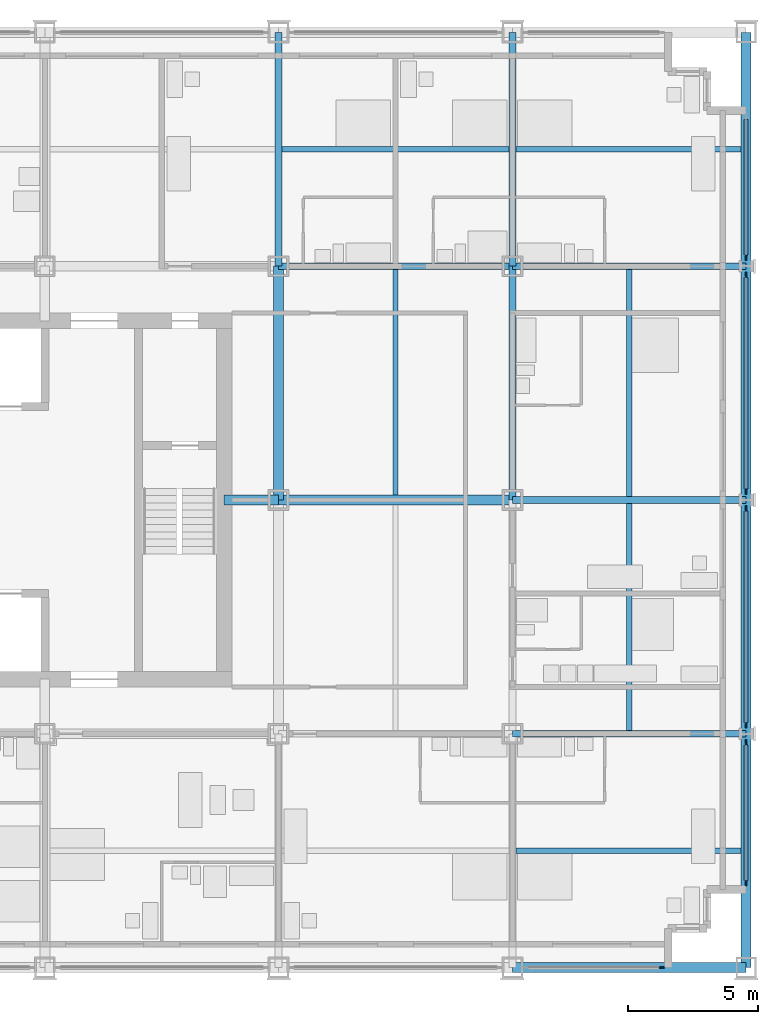
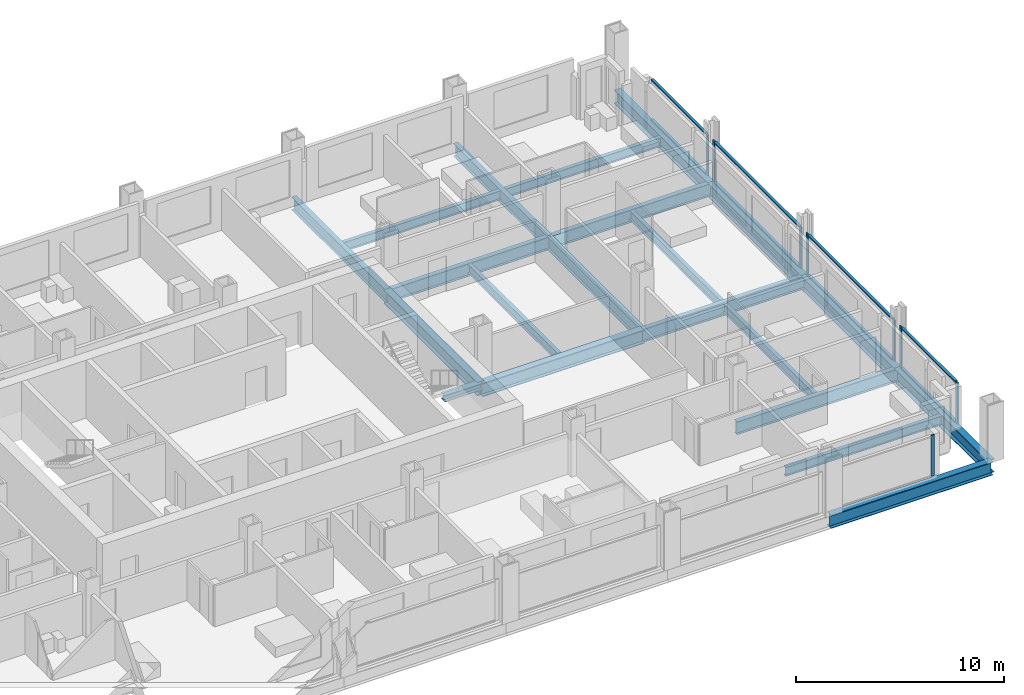
# One storey, part 6 of 18: 20 beams, 17 members, 5 elements without a shape of their own.
"""IFC4 building model written with IfcOpenShell, lengths in metres."""

from ifc_helpers import new_model, si_unit, direction, frame, origin, origin_2d, place, context, subcontext, project, spatial, rectangle, i_section, extrude, material, material_profile, profile_set, type_object, element, aggregate, save


model = new_model("IFC4")

# Units and contexts
model_context = context("Model", 3, precision=1e-05, world=origin(), true_north=direction((0.0, 1.0)))
body_context = subcontext(model_context, "Body", "Model", "MODEL_VIEW")
ifc_project = project(units=[si_unit("LENGTHUNIT", "METRE"), si_unit("AREAUNIT", "SQUARE_METRE"), si_unit("VOLUMEUNIT", "CUBIC_METRE"), si_unit("PLANEANGLEUNIT", "RADIAN"), si_unit("MASSUNIT", "GRAM", prefix="KILO")], contexts=[model_context])

# Site, building, storey
site_placement = place(None, origin())
site = spatial("IfcSite", under=ifc_project, at=site_placement, CompositionType="ELEMENT")
building_placement = place(site_placement, origin())
building = spatial("IfcBuilding", under=site, at=building_placement, Name="Loomwork Tower", CompositionType="ELEMENT")
storey_placement = place(building_placement, frame((0.0, 0.0, 62.0)))
storey = spatial("IfcBuildingStorey", under=building, at=storey_placement, Name="L15", CompositionType="ELEMENT", Elevation=62.0)

# Beams
ifc_material_1 = material(Name="Steel ASTM A992", Category="steel")
ifc_material_profile_1 = material_profile(ifc_material_1, i_section(OverallWidth=0.383544921875, OverallDepth=0.794921875, WebThickness=0.02099609375, FlangeThickness=0.0380859375, at=origin_2d()), Name="W30x235")
ifc_profile_set_1 = profile_set([ifc_material_profile_1], Name="Steel ASTM A992")
beam_type_1 = type_object("IfcBeamType", Name="CORE FLANK GIRDER W30x235", PredefinedType="BEAM", material=ifc_profile_set_1)
for number, where, z_axis, x_axis, name in (
    (1, (36.0, 18.0, -0.597412109375), (1.0, 0.0, 0.0), (0.0, 1.0, 0.0), "Core Flank Girder F/6-F/7 L15"),
    (2, (36.0, 18.0, -0.597412109375), (0.0, 1.0, 0.0), (-1.0, 0.0, 0.0), "Core Flank Girder F/6-G/6 L15"),
):
    element("IfcBeam", number, at=place(storey_placement, frame(where, z_axis=z_axis, x_axis=x_axis)), inside=storey, type_object=beam_type_1, Name=name, PredefinedType="BEAM", context=body_context, shape_type="SweptSolid", body=[
        extrude(i_section(OverallWidth=0.383544921875, OverallDepth=0.794921875, WebThickness=0.02099609375, FlangeThickness=0.0380859375, at=origin_2d()), origin(), (0.0, 0.0, 1.0), 9.0),
    ])

# Member
ifc_material_2 = material(Name="Steel ASTM A992", Category="steel")
ifc_material_profile_2 = material_profile(ifc_material_2, i_section(OverallWidth=0.373291015625, OverallDepth=0.373291015625, WebThickness=0.016357421875, FlangeThickness=0.026123046875, at=origin_2d()), Name="W14x132")
ifc_profile_set_2 = profile_set([ifc_material_profile_2], Name="Steel ASTM A992")
member_type_1 = type_object("IfcMemberType", Name="CORE LINK STRUT W14x132", PredefinedType="STRUT", material=ifc_profile_set_2)
member_1_placement = place(storey_placement, frame((36.0, 18.0, -0.38671875), z_axis=(-1.0, 0.0, 0.0), x_axis=(0.0, -1.0, 0.0)))
element("IfcMember", 3, at=member_1_placement, inside=storey, type_object=member_type_1, Name="Core link strut F/6-33.900,18.000 L15", PredefinedType="STRUT", context=body_context, shape_type="SweptSolid", body=[
    extrude(i_section(OverallWidth=0.373291015625, OverallDepth=0.373291015625, WebThickness=0.016357421875, FlangeThickness=0.026123046875, at=origin_2d()), origin(), (0.0, 0.0, 1.0), 2.10009765625),
])

# Beams
ifc_material_3 = material(Name="Steel ASTM A992", Category="steel")
ifc_material_profile_3 = material_profile(ifc_material_3, i_section(OverallWidth=0.2666015625, OverallDepth=0.761962890625, WebThickness=0.014404296875, FlangeThickness=0.021484375, at=origin_2d()), Name="W30x116")
ifc_profile_set_3 = profile_set([ifc_material_profile_3], Name="Steel ASTM A992")
beam_type_2 = type_object("IfcBeamType", Name="FLOOR GIRDER W30x116", PredefinedType="BEAM", material=ifc_profile_set_3)
for number, where, z_axis, x_axis, name in (
    (4, (45.0, 9.0, -0.5810546875), (1.0, 0.0, 0.0), (0.0, 1.0, 0.0), "Floor Girder E/7-E/8 L15"),
    (5, (45.0, 18.0, -0.5810546875), (1.0, 0.0, 0.0), (0.0, 1.0, 0.0), "Floor Girder F/7-F/8 L15"),
    (6, (36.0, 27.0, -0.5810546875), (1.0, 0.0, 0.0), (0.0, 1.0, 0.0), "Floor Girder G/6-G/7 L15"),
    (7, (45.0, 27.0, -0.5810546875), (1.0, 0.0, 0.0), (0.0, 1.0, 0.0), "Floor Girder G/7-G/8 L15"),
    (8, (36.0, 27.0, -0.5810546875), (0.0, 1.0, 0.0), (-1.0, 0.0, 0.0), "Floor Girder G/6-H/6 L15"),
    (9, (45.0, 18.0, -0.5810546875), (0.0, 1.0, 0.0), (-1.0, 0.0, 0.0), "Floor Girder F/7-G/7 L15"),
    (10, (45.0, 27.0, -0.5810546875), (0.0, 1.0, 0.0), (-1.0, 0.0, 0.0), "Floor Girder G/7-H/7 L15"),
):
    element("IfcBeam", number, at=place(storey_placement, frame(where, z_axis=z_axis, x_axis=x_axis)), inside=storey, type_object=beam_type_2, Name=name, PredefinedType="BEAM", context=body_context, shape_type="SweptSolid", body=[
        extrude(i_section(OverallWidth=0.2666015625, OverallDepth=0.761962890625, WebThickness=0.014404296875, FlangeThickness=0.021484375, at=origin_2d()), origin(), (0.0, 0.0, 1.0), 9.0),
    ])
ifc_material_4 = material(Name="Steel ASTM A992", Category="steel")
ifc_material_profile_4 = material_profile(ifc_material_4, i_section(OverallWidth=0.2109375, OverallDepth=0.53857421875, WebThickness=0.011474609375, FlangeThickness=0.018798828125, at=origin_2d()), Name="W21x73")
ifc_profile_set_4 = profile_set([ifc_material_profile_4], Name="Steel ASTM A992")
beam_type_3 = type_object("IfcBeamType", Name="FLOOR JOIST W21x73", PredefinedType="JOIST", material=ifc_profile_set_4)
beam_1_placement = place(storey_placement, frame((40.5, 18.19091796875, -0.46923828125), z_axis=(0.0, 1.0, 0.0), x_axis=(-1.0, 0.0, 0.0)))
element("IfcBeam", 11, at=beam_1_placement, inside=storey, type_object=beam_type_3, Name="Floor Joist 40.500,18.000-40.500,27.000 L15", PredefinedType="JOIST", context=body_context, shape_type="SweptSolid", body=[
    extrude(i_section(OverallWidth=0.2109375, OverallDepth=0.53857421875, WebThickness=0.011474609375, FlangeThickness=0.018798828125, at=origin_2d()), origin(), (0.0, 0.0, 1.0), 8.676025390625),
])
beam_2_placement = place(storey_placement, frame((36.133056640625, 31.5, -0.46923828125), z_axis=(1.0, 0.0, 0.0), x_axis=(0.0, 1.0, 0.0)))
element("IfcBeam", 12, at=beam_2_placement, inside=storey, type_object=beam_type_3, Name="Floor Joist 36.000,31.500-45.000,31.500 L15", PredefinedType="JOIST", context=body_context, shape_type="SweptSolid", body=[
    extrude(i_section(OverallWidth=0.2109375, OverallDepth=0.53857421875, WebThickness=0.011474609375, FlangeThickness=0.018798828125, at=origin_2d()), origin(), (0.0, 0.0, 1.0), 8.73388671875),
])
beam_3_placement = place(storey_placement, frame((45.133056640625, 4.5, -0.46923828125), z_axis=(1.0, 0.0, 0.0), x_axis=(0.0, 1.0, 0.0)))
element("IfcBeam", 13, at=beam_3_placement, inside=storey, type_object=beam_type_3, Name="Floor Joist 45.000,4.500-54.000,4.500 L15", PredefinedType="JOIST", context=body_context, shape_type="SweptSolid", body=[
    extrude(i_section(OverallWidth=0.2109375, OverallDepth=0.53857421875, WebThickness=0.011474609375, FlangeThickness=0.018798828125, at=origin_2d()), origin(), (0.0, 0.0, 1.0), 8.677001953125),
])
for number, where, z_axis, x_axis, name in (
    (14, (49.5, 9.133056640625, -0.46923828125), (0.0, 1.0, 0.0), (-1.0, 0.0, 0.0), "Floor Joist 49.500,9.000-49.500,18.000 L15"),
    (15, (49.5, 18.133056640625, -0.46923828125), (0.0, 1.0, 0.0), (-1.0, 0.0, 0.0), "Floor Joist 49.500,18.000-49.500,27.000 L15"),
):
    element("IfcBeam", number, at=place(storey_placement, frame(where, z_axis=z_axis, x_axis=x_axis)), inside=storey, type_object=beam_type_3, Name=name, PredefinedType="JOIST", context=body_context, shape_type="SweptSolid", body=[
        extrude(i_section(OverallWidth=0.2109375, OverallDepth=0.53857421875, WebThickness=0.011474609375, FlangeThickness=0.018798828125, at=origin_2d()), origin(), (0.0, 0.0, 1.0), 8.73388671875),
    ])
beam_4_placement = place(storey_placement, frame((45.133056640625, 31.5, -0.46923828125), z_axis=(1.0, 0.0, 0.0), x_axis=(0.0, 1.0, 0.0)))
element("IfcBeam", 16, at=beam_4_placement, inside=storey, type_object=beam_type_3, Name="Floor Joist 45.000,31.500-54.000,31.500 L15", PredefinedType="JOIST", context=body_context, shape_type="SweptSolid", body=[
    extrude(i_section(OverallWidth=0.2109375, OverallDepth=0.53857421875, WebThickness=0.011474609375, FlangeThickness=0.018798828125, at=origin_2d()), origin(), (0.0, 0.0, 1.0), 8.677001953125),
])

# Curtain wall, member
ifc_material_5 = material(Name="Aluminium curtain wall frame", Category="aluminium")
curtain_wall_type = type_object("IfcCurtainWallType", Name="Outer skin glazing hotel", PredefinedType="NOTDEFINED", material=ifc_material_5)
curtain_wall_1_placement = place(storey_placement, origin())
curtain_wall_1 = element("IfcCurtainWall", 17, at=curtain_wall_1_placement, inside=storey, type_object=curtain_wall_type, Name="Outer skin glazing hotel cw/S-45", PredefinedType="NOTDEFINED")
ifc_material_6 = material(Name="Aluminium curtain wall frame", Category="aluminium")
ifc_material_profile_5 = material_profile(ifc_material_6, rectangle(XDim=0.06494140625, YDim=0.199951171875, at=origin_2d()), Name="AL 65x200")
ifc_profile_set_5 = profile_set([ifc_material_profile_5], Name="Aluminium curtain wall frame")
member_type_2 = type_object("IfcMemberType", Name="Outer skin glazing hotel mullion", PredefinedType="MULLION", material=ifc_profile_set_5)
member_2_placement = place(storey_placement, frame((50.75, 0.0, 0.0), z_axis=(0.0, 0.0, 1.0), x_axis=(0.0, 1.0, 0.0)))
member_2 = element("IfcMember", 18, at=member_2_placement, type_object=member_type_2, Name="CW1 mullion 2", PredefinedType="MULLION", context=body_context, shape_type="SweptSolid", body=[
    extrude(rectangle(XDim=0.06494140625, YDim=0.199951171875, at=origin_2d()), origin(), (0.0, 0.0, 1.0), 2.420166015625),
])
aggregate(curtain_wall_1, [member_2])

# Curtain wall, members
curtain_wall_2_placement = place(storey_placement, origin())
curtain_wall_2 = element("IfcCurtainWall", 19, at=curtain_wall_2_placement, inside=storey, type_object=curtain_wall_type, Name="Outer skin glazing hotel cw/E-0", PredefinedType="NOTDEFINED")
member_3_placement = place(storey_placement, frame((54.0, 3.25, 0.0), z_axis=(0.0, 0.0, 1.0), x_axis=(-1.0, 0.0, 0.0)))
member_3 = element("IfcMember", 20, at=member_3_placement, type_object=member_type_2, Name="CW1 mullion 1", PredefinedType="MULLION", context=body_context, shape_type="SweptSolid", body=[
    extrude(rectangle(XDim=0.06494140625, YDim=0.199951171875, at=origin_2d()), origin(), (0.0, 0.0, 1.0), 2.420166015625),
])
member_4_placement = place(storey_placement, frame((54.0, 8.672607421875, 0.0), z_axis=(0.0, 0.0, 1.0), x_axis=(-1.0, 0.0, 0.0)))
member_4 = element("IfcMember", 21, at=member_4_placement, type_object=member_type_2, Name="CW1 mullion 2", PredefinedType="MULLION", context=body_context, shape_type="SweptSolid", body=[
    extrude(rectangle(XDim=0.06494140625, YDim=0.199951171875, at=origin_2d()), origin(), (0.0, 0.0, 1.0), 2.420166015625),
])

curtain_wall_3_placement = place(storey_placement, origin())
curtain_wall_3 = element("IfcCurtainWall", 22, at=curtain_wall_3_placement, inside=storey, type_object=curtain_wall_type, Name="Outer skin glazing hotel cw/E-9", PredefinedType="NOTDEFINED")
member_5_placement = place(storey_placement, frame((54.0, 9.327392578125, 0.0), z_axis=(0.0, 0.0, 1.0), x_axis=(-1.0, 0.0, 0.0)))
member_5 = element("IfcMember", 23, at=member_5_placement, type_object=member_type_2, Name="CW1 mullion 1", PredefinedType="MULLION", context=body_context, shape_type="SweptSolid", body=[
    extrude(rectangle(XDim=0.06494140625, YDim=0.199951171875, at=origin_2d()), origin(), (0.0, 0.0, 1.0), 2.420166015625),
])
member_6_placement = place(storey_placement, frame((54.0, 17.672607421875, 0.0), z_axis=(0.0, 0.0, 1.0), x_axis=(-1.0, 0.0, 0.0)))
member_6 = element("IfcMember", 24, at=member_6_placement, type_object=member_type_2, Name="CW1 mullion 2", PredefinedType="MULLION", context=body_context, shape_type="SweptSolid", body=[
    extrude(rectangle(XDim=0.06494140625, YDim=0.199951171875, at=origin_2d()), origin(), (0.0, 0.0, 1.0), 2.420166015625),
])

curtain_wall_4_placement = place(storey_placement, origin())
curtain_wall_4 = element("IfcCurtainWall", 25, at=curtain_wall_4_placement, inside=storey, type_object=curtain_wall_type, Name="Outer skin glazing hotel cw/E-18", PredefinedType="NOTDEFINED")
member_7_placement = place(storey_placement, frame((54.0, 18.327392578125, 0.0), z_axis=(0.0, 0.0, 1.0), x_axis=(-1.0, 0.0, 0.0)))
member_7 = element("IfcMember", 26, at=member_7_placement, type_object=member_type_2, Name="CW1 mullion 1", PredefinedType="MULLION", context=body_context, shape_type="SweptSolid", body=[
    extrude(rectangle(XDim=0.06494140625, YDim=0.199951171875, at=origin_2d()), origin(), (0.0, 0.0, 1.0), 2.420166015625),
])
member_8_placement = place(storey_placement, frame((54.0, 26.672607421875, 0.0), z_axis=(0.0, 0.0, 1.0), x_axis=(-1.0, 0.0, 0.0)))
member_8 = element("IfcMember", 27, at=member_8_placement, type_object=member_type_2, Name="CW1 mullion 2", PredefinedType="MULLION", context=body_context, shape_type="SweptSolid", body=[
    extrude(rectangle(XDim=0.06494140625, YDim=0.199951171875, at=origin_2d()), origin(), (0.0, 0.0, 1.0), 2.420166015625),
])

# Curtain wall, member
curtain_wall_5_placement = place(storey_placement, origin())
curtain_wall_5 = element("IfcCurtainWall", 28, at=curtain_wall_5_placement, inside=storey, type_object=curtain_wall_type, Name="Outer skin glazing hotel cw/E-27", PredefinedType="NOTDEFINED")
member_9_placement = place(storey_placement, frame((54.0, 27.327392578125, 0.0), z_axis=(0.0, 0.0, 1.0), x_axis=(-1.0, 0.0, 0.0)))
member_9 = element("IfcMember", 29, at=member_9_placement, type_object=member_type_2, Name="CW1 mullion 1", PredefinedType="MULLION", context=body_context, shape_type="SweptSolid", body=[
    extrude(rectangle(XDim=0.06494140625, YDim=0.199951171875, at=origin_2d()), origin(), (0.0, 0.0, 1.0), 2.420166015625),
])

# Member
ifc_material_7 = material(Name="Aluminium curtain wall frame", Category="aluminium")
ifc_material_profile_6 = material_profile(ifc_material_7, rectangle(XDim=0.14990234375, YDim=0.06494140625, at=origin_2d()), Name="AL 65x150")
ifc_profile_set_6 = profile_set([ifc_material_profile_6], Name="Aluminium curtain wall frame")
member_type_3 = type_object("IfcMemberType", Name="Outer skin glazing hotel transom", PredefinedType="USERDEFINED", material=ifc_profile_set_6)
member_10_placement = place(storey_placement, frame((54.0, 3.35009765625, 0.032470703125), z_axis=(0.0, 1.0, 0.0), x_axis=(-1.0, 0.0, 0.0)))
member_10 = element("IfcMember", 30, at=member_10_placement, type_object=member_type_3, Name="CW1 transom 1.1", ObjectType="TRANSOM", PredefinedType="USERDEFINED", context=body_context, shape_type="SweptSolid", body=[
    extrude(rectangle(XDim=0.14990234375, YDim=0.06494140625, at=origin_2d()), origin(), (0.0, 0.0, 1.0), 5.22265625),
])

member_11_placement = place(storey_placement, frame((54.0, 3.35009765625, 2.3876953125), z_axis=(0.0, 1.0, 0.0), x_axis=(-1.0, 0.0, 0.0)))
member_11 = element("IfcMember", 31, at=member_11_placement, type_object=member_type_3, Name="CW1 transom 1.2", ObjectType="TRANSOM", PredefinedType="USERDEFINED", context=body_context, shape_type="SweptSolid", body=[
    extrude(rectangle(XDim=0.14990234375, YDim=0.06494140625, at=origin_2d()), origin(), (0.0, 0.0, 1.0), 5.22265625),
])

aggregate(curtain_wall_2, [member_3, member_4, member_10, member_11])

member_12_placement = place(storey_placement, frame((54.0, 9.42724609375, 0.032470703125), z_axis=(0.0, 1.0, 0.0), x_axis=(-1.0, 0.0, 0.0)))
member_12 = element("IfcMember", 32, at=member_12_placement, type_object=member_type_3, Name="CW1 transom 1.1", ObjectType="TRANSOM", PredefinedType="USERDEFINED", context=body_context, shape_type="SweptSolid", body=[
    extrude(rectangle(XDim=0.14990234375, YDim=0.06494140625, at=origin_2d()), origin(), (0.0, 0.0, 1.0), 8.1455078125),
])

member_13_placement = place(storey_placement, frame((54.0, 9.42724609375, 2.3876953125), z_axis=(0.0, 1.0, 0.0), x_axis=(-1.0, 0.0, 0.0)))
member_13 = element("IfcMember", 33, at=member_13_placement, type_object=member_type_3, Name="CW1 transom 1.2", ObjectType="TRANSOM", PredefinedType="USERDEFINED", context=body_context, shape_type="SweptSolid", body=[
    extrude(rectangle(XDim=0.14990234375, YDim=0.06494140625, at=origin_2d()), origin(), (0.0, 0.0, 1.0), 8.1455078125),
])

aggregate(curtain_wall_3, [member_5, member_6, member_12, member_13])

member_14_placement = place(storey_placement, frame((54.0, 18.42724609375, 0.032470703125), z_axis=(0.0, 1.0, 0.0), x_axis=(-1.0, 0.0, 0.0)))
member_14 = element("IfcMember", 34, at=member_14_placement, type_object=member_type_3, Name="CW1 transom 1.1", ObjectType="TRANSOM", PredefinedType="USERDEFINED", context=body_context, shape_type="SweptSolid", body=[
    extrude(rectangle(XDim=0.14990234375, YDim=0.06494140625, at=origin_2d()), origin(), (0.0, 0.0, 1.0), 8.1455078125),
])

member_15_placement = place(storey_placement, frame((54.0, 18.42724609375, 2.3876953125), z_axis=(0.0, 1.0, 0.0), x_axis=(-1.0, 0.0, 0.0)))
member_15 = element("IfcMember", 35, at=member_15_placement, type_object=member_type_3, Name="CW1 transom 1.2", ObjectType="TRANSOM", PredefinedType="USERDEFINED", context=body_context, shape_type="SweptSolid", body=[
    extrude(rectangle(XDim=0.14990234375, YDim=0.06494140625, at=origin_2d()), origin(), (0.0, 0.0, 1.0), 8.1455078125),
])

aggregate(curtain_wall_4, [member_7, member_8, member_14, member_15])

member_16_placement = place(storey_placement, frame((54.0, 27.42724609375, 0.032470703125), z_axis=(0.0, 1.0, 0.0), x_axis=(-1.0, 0.0, 0.0)))
member_16 = element("IfcMember", 36, at=member_16_placement, type_object=member_type_3, Name="CW1 transom 1.1", ObjectType="TRANSOM", PredefinedType="USERDEFINED", context=body_context, shape_type="SweptSolid", body=[
    extrude(rectangle(XDim=0.14990234375, YDim=0.06494140625, at=origin_2d()), origin(), (0.0, 0.0, 1.0), 5.22265625),
])

member_17_placement = place(storey_placement, frame((54.0, 27.42724609375, 2.3876953125), z_axis=(0.0, 1.0, 0.0), x_axis=(-1.0, 0.0, 0.0)))
member_17 = element("IfcMember", 37, at=member_17_placement, type_object=member_type_3, Name="CW1 transom 1.2", ObjectType="TRANSOM", PredefinedType="USERDEFINED", context=body_context, shape_type="SweptSolid", body=[
    extrude(rectangle(XDim=0.14990234375, YDim=0.06494140625, at=origin_2d()), origin(), (0.0, 0.0, 1.0), 5.22265625),
])

aggregate(curtain_wall_5, [member_9, member_16, member_17])

# Beams
ifc_material_8 = material(Name="Steel ASTM A992", Category="steel")
ifc_material_profile_7 = material_profile(ifc_material_8, i_section(OverallWidth=0.381103515625, OverallDepth=0.77978515625, WebThickness=0.01806640625, FlangeThickness=0.0302734375, at=origin_2d()), Name="W30x191")
ifc_profile_set_7 = profile_set([ifc_material_profile_7], Name="Steel ASTM A992")
beam_type_4 = type_object("IfcBeamType", Name="SPANDREL GIRDER W30x191", PredefinedType="SPANDREL", material=ifc_profile_set_7)
for number, where, z_axis, x_axis, name in (
    (38, (45.0, 0.0, -0.58984375), (1.0, 0.0, 0.0), (0.0, 1.0, 0.0), "Spandrel Girder D/7-D/8 L15"),
    (39, (54.0, 0.0, -0.58984375), (0.0, 1.0, 0.0), (-1.0, 0.0, 0.0), "Spandrel Girder D/8-E/8 L15"),
    (40, (54.0, 9.0, -0.58984375), (0.0, 1.0, 0.0), (-1.0, 0.0, 0.0), "Spandrel Girder E/8-F/8 L15"),
    (41, (54.0, 18.0, -0.58984375), (0.0, 1.0, 0.0), (-1.0, 0.0, 0.0), "Spandrel Girder F/8-G/8 L15"),
    (42, (54.0, 27.0, -0.58984375), (0.0, 1.0, 0.0), (-1.0, 0.0, 0.0), "Spandrel Girder G/8-H/8 L15"),
):
    element("IfcBeam", number, at=place(storey_placement, frame(where, z_axis=z_axis, x_axis=x_axis)), inside=storey, type_object=beam_type_4, Name=name, PredefinedType="SPANDREL", context=body_context, shape_type="SweptSolid", body=[
        extrude(i_section(OverallWidth=0.381103515625, OverallDepth=0.77978515625, WebThickness=0.01806640625, FlangeThickness=0.0302734375, at=origin_2d()), origin(), (0.0, 0.0, 1.0), 9.0),
    ])

save(model, "model.ifc")
